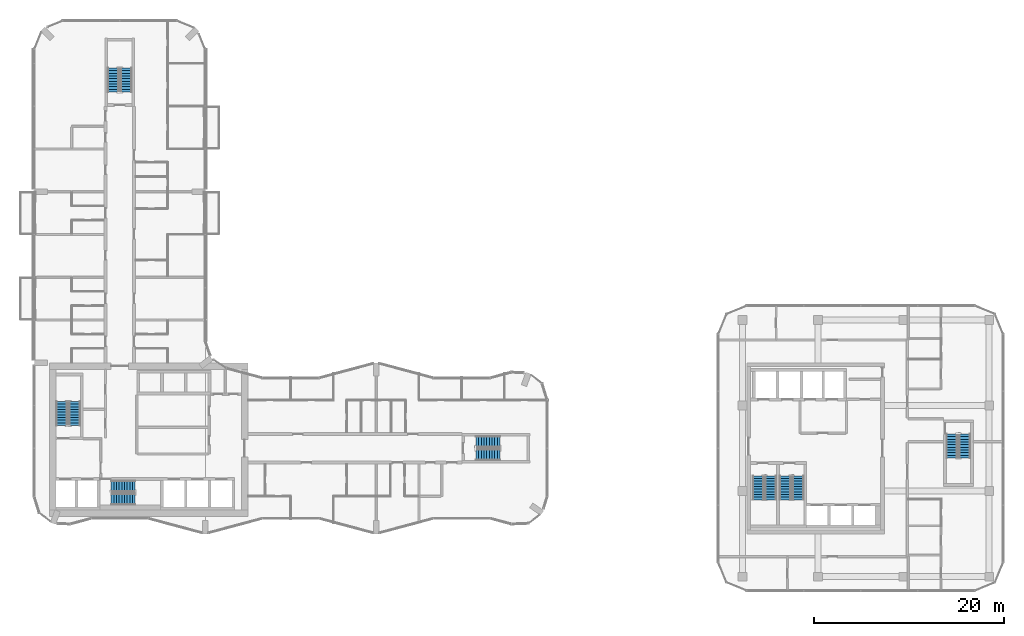
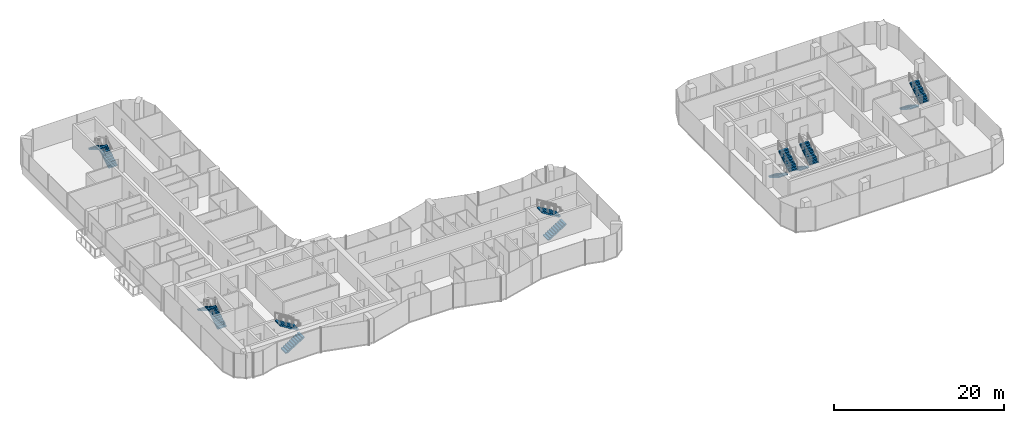
# One storey, part 20 of 23: 14 stair flights, 7 elements without a shape of their own.
"""IFC4 building model written with IfcOpenShell, lengths in metres."""

from ifc_helpers import new_model, si_unit, direction, frame, origin, place, context, subcontext, project, spatial, polyline, outline, extrude, material, type_object, element, aggregate, save


model = new_model("IFC4")

# Units and contexts
model_context = context("Model", 3, precision=1e-05, world=origin(), true_north=direction((0.0, 1.0)))
body_context = subcontext(model_context, "Body", "Model", "MODEL_VIEW")
ifc_project = project(units=[si_unit("LENGTHUNIT", "METRE"), si_unit("AREAUNIT", "SQUARE_METRE"), si_unit("VOLUMEUNIT", "CUBIC_METRE"), si_unit("PLANEANGLEUNIT", "RADIAN"), si_unit("MASSUNIT", "GRAM", prefix="KILO")], contexts=[model_context])

# Site, building, storey
site_placement = place(None, origin())
site = spatial("IfcSite", under=ifc_project, at=site_placement, CompositionType="ELEMENT")
building_placement = place(site_placement, origin())
building = spatial("IfcBuilding", under=site, at=building_placement, Name="Plateau Cross Towers", CompositionType="ELEMENT")
storey_placement = place(building_placement, frame((0.0, 0.0, 95.800048828125)))
storey = spatial("IfcBuildingStorey", under=building, at=storey_placement, Name="L24", CompositionType="ELEMENT", Elevation=95.800048828125)

# Stair, stair flights
ifc_material = material(Name="Concrete C40/50", Category="concrete")
stair_type = type_object("IfcStairType", Name="ST-TWR", PredefinedType="HALF_TURN_STAIR", material=ifc_material)
stair_1_placement = place(storey_placement, origin())
stair_1 = element("IfcStair", 1, at=stair_1_placement, inside=storey, type_object=stair_type, Name="L24 Protected Exit Stair ST-1", PredefinedType="HALF_TURN_STAIR")
stair_flight_type = type_object("IfcStairFlightType", Name="SFL-RC", PredefinedType="STRAIGHT", material=ifc_material)
stair_flight_1_placement = place(storey_placement, frame((4.25, 11.39990234375, 0.0), z_axis=(0.0, 0.0, 1.0), x_axis=(0.0, 1.0, 0.0)))
stair_flight_1 = element("IfcStairFlight", 2, at=stair_flight_1_placement, type_object=stair_flight_type, Name="ST-1 flight 1", NumberOfRisers=10, NumberOfTreads=9, PredefinedType="STRAIGHT", RiserHeight=0.175, TreadLength=0.28, context=body_context, shape_type="SweptSolid", body=[
    extrude(outline(polyline([(-0.0048828125, -0.010009765625), (-0.0048828125, 0.0), (0.0, 0.0), (0.0, 0.175048828125), (0.280029296875, 0.175048828125), (0.280029296875, 0.35009765625), (0.56005859375, 0.35009765625), (0.56005859375, 0.52490234375), (0.840087890625, 0.52490234375), (0.840087890625, 0.699951171875), (1.1201171875, 0.699951171875), (1.1201171875, 0.875), (1.39990234375, 0.875), (1.39990234375, 1.050048828125), (1.679931640625, 1.050048828125), (1.679931640625, 1.22509765625), (1.9599609375, 1.22509765625), (1.9599609375, 1.39990234375), (2.239990234375, 1.39990234375), (2.239990234375, 1.574951171875), (2.52001953125, 1.574951171875), (2.52490234375, 1.56494140625), (2.52490234375, 1.398193359375), (2.52001953125, 1.398193359375), (0.28271484375, 0.0), (0.02001953125, 0.0), (0.02001953125, -0.010009765625), (-0.0048828125, -0.010009765625)])), frame((0.0, 0.60009765625, 0.0), z_axis=(0.0, -1.0, 0.0), x_axis=(1.0, 0.0, 0.0)), (0.0, 0.0, 1.0), 1.199951171875),
])
stair_flight_2_placement = place(storey_placement, frame((2.89990234375, 13.919921875, 1.75), z_axis=(0.0, 0.0, 1.0), x_axis=(0.0, -1.0, 0.0)))
stair_flight_2 = element("IfcStairFlight", 3, at=stair_flight_2_placement, type_object=stair_flight_type, Name="ST-1 flight 2", NumberOfRisers=10, NumberOfTreads=9, PredefinedType="STRAIGHT", RiserHeight=0.175, TreadLength=0.28, context=body_context, shape_type="SweptSolid", body=[
    extrude(outline(polyline([(-0.0048828125, -0.010009765625), (-0.0048828125, 0.0), (0.0, 0.0), (0.0, 0.175048828125), (0.280029296875, 0.175048828125), (0.280029296875, 0.35009765625), (0.56005859375, 0.35009765625), (0.56005859375, 0.52490234375), (0.840087890625, 0.52490234375), (0.840087890625, 0.699951171875), (1.1201171875, 0.699951171875), (1.1201171875, 0.875), (1.39990234375, 0.875), (1.39990234375, 1.050048828125), (1.679931640625, 1.050048828125), (1.679931640625, 1.22509765625), (1.9599609375, 1.22509765625), (1.9599609375, 1.39990234375), (2.239990234375, 1.39990234375), (2.239990234375, 1.574951171875), (2.52001953125, 1.574951171875), (2.52490234375, 1.56494140625), (2.52490234375, 1.398193359375), (2.52001953125, 1.398193359375), (0.28271484375, 0.0), (0.02001953125, 0.0), (0.02001953125, -0.010009765625), (-0.0048828125, -0.010009765625)])), frame((0.0, 0.60009765625, 0.0), z_axis=(0.0, -1.0, 0.0), x_axis=(1.0, 0.0, 0.0)), (0.0, 0.0, 1.0), 1.199951171875),
])
aggregate(stair_1, [stair_flight_1, stair_flight_2])

stair_2_placement = place(storey_placement, origin())
stair_2 = element("IfcStair", 4, at=stair_2_placement, inside=storey, type_object=stair_type, Name="L24 Protected Exit Stair ST-2", PredefinedType="HALF_TURN_STAIR")
stair_flight_3_placement = place(storey_placement, frame((8.10009765625, 3.64990234375, 0.0), z_axis=(0.0, 0.0, 1.0), x_axis=(1.0, 0.0, 0.0)))
stair_flight_3 = element("IfcStairFlight", 5, at=stair_flight_3_placement, type_object=stair_flight_type, Name="ST-2 flight 1", NumberOfRisers=10, NumberOfTreads=9, PredefinedType="STRAIGHT", RiserHeight=0.175, TreadLength=0.28, context=body_context, shape_type="SweptSolid", body=[
    extrude(outline(polyline([(-0.0048828125, -0.010009765625), (-0.0048828125, 0.0), (0.0, 0.0), (0.0, 0.175048828125), (0.280029296875, 0.175048828125), (0.280029296875, 0.35009765625), (0.56005859375, 0.35009765625), (0.56005859375, 0.52490234375), (0.840087890625, 0.52490234375), (0.840087890625, 0.699951171875), (1.1201171875, 0.699951171875), (1.1201171875, 0.875), (1.39990234375, 0.875), (1.39990234375, 1.050048828125), (1.679931640625, 1.050048828125), (1.679931640625, 1.22509765625), (1.9599609375, 1.22509765625), (1.9599609375, 1.39990234375), (2.239990234375, 1.39990234375), (2.239990234375, 1.574951171875), (2.52001953125, 1.574951171875), (2.52490234375, 1.56494140625), (2.52490234375, 1.398193359375), (2.52001953125, 1.398193359375), (0.28271484375, 0.0), (0.02001953125, 0.0), (0.02001953125, -0.010009765625), (-0.0048828125, -0.010009765625)])), frame((0.0, 0.60009765625, 0.0), z_axis=(0.0, -1.0, 0.0), x_axis=(1.0, 0.0, 0.0)), (0.0, 0.0, 1.0), 1.199951171875),
])
stair_flight_4_placement = place(storey_placement, frame((10.6201171875, 5.0, 1.75), z_axis=(0.0, 0.0, 1.0), x_axis=(-1.0, 0.0, 0.0)))
stair_flight_4 = element("IfcStairFlight", 6, at=stair_flight_4_placement, type_object=stair_flight_type, Name="ST-2 flight 2", NumberOfRisers=10, NumberOfTreads=9, PredefinedType="STRAIGHT", RiserHeight=0.175, TreadLength=0.28, context=body_context, shape_type="SweptSolid", body=[
    extrude(outline(polyline([(-0.0048828125, -0.010009765625), (-0.0048828125, 0.0), (0.0, 0.0), (0.0, 0.175048828125), (0.280029296875, 0.175048828125), (0.280029296875, 0.35009765625), (0.56005859375, 0.35009765625), (0.56005859375, 0.52490234375), (0.840087890625, 0.52490234375), (0.840087890625, 0.699951171875), (1.1201171875, 0.699951171875), (1.1201171875, 0.875), (1.39990234375, 0.875), (1.39990234375, 1.050048828125), (1.679931640625, 1.050048828125), (1.679931640625, 1.22509765625), (1.9599609375, 1.22509765625), (1.9599609375, 1.39990234375), (2.239990234375, 1.39990234375), (2.239990234375, 1.574951171875), (2.52001953125, 1.574951171875), (2.52490234375, 1.56494140625), (2.52490234375, 1.398193359375), (2.52001953125, 1.398193359375), (0.28271484375, 0.0), (0.02001953125, 0.0), (0.02001953125, -0.010009765625), (-0.0048828125, -0.010009765625)])), frame((0.0, 0.60009765625, 0.0), z_axis=(0.0, -1.0, 0.0), x_axis=(1.0, 0.0, 0.0)), (0.0, 0.0, 1.0), 1.199951171875),
])
aggregate(stair_2, [stair_flight_3, stair_flight_4])

stair_3_placement = place(storey_placement, origin())
stair_3 = element("IfcStair", 7, at=stair_3_placement, inside=storey, type_object=stair_type, Name="L24 Protected Exit Stair SB-1", PredefinedType="HALF_TURN_STAIR")
stair_flight_5_placement = place(storey_placement, frame((76.199951171875, 6.10009765625, 0.0), z_axis=(0.0, 0.0, 1.0), x_axis=(0.0, -1.0, 0.0)))
stair_flight_5 = element("IfcStairFlight", 8, at=stair_flight_5_placement, type_object=stair_flight_type, Name="SB-1 flight 1", NumberOfRisers=10, NumberOfTreads=9, PredefinedType="STRAIGHT", RiserHeight=0.175, TreadLength=0.28, context=body_context, shape_type="SweptSolid", body=[
    extrude(outline(polyline([(-0.0048828125, -0.010009765625), (-0.0048828125, 0.0), (0.0, 0.0), (0.0, 0.175048828125), (0.280029296875, 0.175048828125), (0.280029296875, 0.35009765625), (0.56005859375, 0.35009765625), (0.56005859375, 0.52490234375), (0.840087890625, 0.52490234375), (0.840087890625, 0.699951171875), (1.1201171875, 0.699951171875), (1.1201171875, 0.875), (1.39990234375, 0.875), (1.39990234375, 1.050048828125), (1.679931640625, 1.050048828125), (1.679931640625, 1.22509765625), (1.9599609375, 1.22509765625), (1.9599609375, 1.39990234375), (2.239990234375, 1.39990234375), (2.239990234375, 1.574951171875), (2.52001953125, 1.574951171875), (2.52490234375, 1.56494140625), (2.52490234375, 1.398193359375), (2.52001953125, 1.398193359375), (0.28271484375, 0.0), (0.02001953125, 0.0), (0.02001953125, -0.010009765625), (-0.0048828125, -0.010009765625)])), frame((0.0, 0.60009765625, 0.0), z_axis=(0.0, -1.0, 0.0), x_axis=(1.0, 0.0, 0.0)), (0.0, 0.0, 1.0), 1.199951171875),
])
stair_flight_6_placement = place(storey_placement, frame((77.550048828125, 3.580078125, 1.75), z_axis=(0.0, 0.0, 1.0), x_axis=(0.0, 1.0, 0.0)))
stair_flight_6 = element("IfcStairFlight", 9, at=stair_flight_6_placement, type_object=stair_flight_type, Name="SB-1 flight 2", NumberOfRisers=10, NumberOfTreads=9, PredefinedType="STRAIGHT", RiserHeight=0.175, TreadLength=0.28, context=body_context, shape_type="SweptSolid", body=[
    extrude(outline(polyline([(-0.0048828125, -0.010009765625), (-0.0048828125, 0.0), (0.0, 0.0), (0.0, 0.175048828125), (0.280029296875, 0.175048828125), (0.280029296875, 0.35009765625), (0.56005859375, 0.35009765625), (0.56005859375, 0.52490234375), (0.840087890625, 0.52490234375), (0.840087890625, 0.699951171875), (1.1201171875, 0.699951171875), (1.1201171875, 0.875), (1.39990234375, 0.875), (1.39990234375, 1.050048828125), (1.679931640625, 1.050048828125), (1.679931640625, 1.22509765625), (1.9599609375, 1.22509765625), (1.9599609375, 1.39990234375), (2.239990234375, 1.39990234375), (2.239990234375, 1.574951171875), (2.52001953125, 1.574951171875), (2.52490234375, 1.56494140625), (2.52490234375, 1.398193359375), (2.52001953125, 1.398193359375), (0.28271484375, 0.0), (0.02001953125, 0.0), (0.02001953125, -0.010009765625), (-0.0048828125, -0.010009765625)])), frame((0.0, 0.60009765625, 0.0), z_axis=(0.0, -1.0, 0.0), x_axis=(1.0, 0.0, 0.0)), (0.0, 0.0, 1.0), 1.199951171875),
])
aggregate(stair_3, [stair_flight_5, stair_flight_6])

stair_4_placement = place(storey_placement, origin())
stair_4 = element("IfcStair", 10, at=stair_4_placement, inside=storey, type_object=stair_type, Name="L24 Protected Exit Stair SB-2", PredefinedType="HALF_TURN_STAIR")
stair_flight_7_placement = place(storey_placement, frame((79.050048828125, 6.10009765625, 0.0), z_axis=(0.0, 0.0, 1.0), x_axis=(0.0, -1.0, 0.0)))
stair_flight_7 = element("IfcStairFlight", 11, at=stair_flight_7_placement, type_object=stair_flight_type, Name="SB-2 flight 1", NumberOfRisers=10, NumberOfTreads=9, PredefinedType="STRAIGHT", RiserHeight=0.175, TreadLength=0.28, context=body_context, shape_type="SweptSolid", body=[
    extrude(outline(polyline([(-0.0048828125, -0.010009765625), (-0.0048828125, 0.0), (0.0, 0.0), (0.0, 0.175048828125), (0.280029296875, 0.175048828125), (0.280029296875, 0.35009765625), (0.56005859375, 0.35009765625), (0.56005859375, 0.52490234375), (0.840087890625, 0.52490234375), (0.840087890625, 0.699951171875), (1.1201171875, 0.699951171875), (1.1201171875, 0.875), (1.39990234375, 0.875), (1.39990234375, 1.050048828125), (1.679931640625, 1.050048828125), (1.679931640625, 1.22509765625), (1.9599609375, 1.22509765625), (1.9599609375, 1.39990234375), (2.239990234375, 1.39990234375), (2.239990234375, 1.574951171875), (2.52001953125, 1.574951171875), (2.52490234375, 1.56494140625), (2.52490234375, 1.398193359375), (2.52001953125, 1.398193359375), (0.28271484375, 0.0), (0.02001953125, 0.0), (0.02001953125, -0.010009765625), (-0.0048828125, -0.010009765625)])), frame((0.0, 0.60009765625, 0.0), z_axis=(0.0, -1.0, 0.0), x_axis=(1.0, 0.0, 0.0)), (0.0, 0.0, 1.0), 1.199951171875),
])
stair_flight_8_placement = place(storey_placement, frame((80.39990234375, 3.580078125, 1.75), z_axis=(0.0, 0.0, 1.0), x_axis=(0.0, 1.0, 0.0)))
stair_flight_8 = element("IfcStairFlight", 12, at=stair_flight_8_placement, type_object=stair_flight_type, Name="SB-2 flight 2", NumberOfRisers=10, NumberOfTreads=9, PredefinedType="STRAIGHT", RiserHeight=0.175, TreadLength=0.28, context=body_context, shape_type="SweptSolid", body=[
    extrude(outline(polyline([(-0.0048828125, -0.010009765625), (-0.0048828125, 0.0), (0.0, 0.0), (0.0, 0.175048828125), (0.280029296875, 0.175048828125), (0.280029296875, 0.35009765625), (0.56005859375, 0.35009765625), (0.56005859375, 0.52490234375), (0.840087890625, 0.52490234375), (0.840087890625, 0.699951171875), (1.1201171875, 0.699951171875), (1.1201171875, 0.875), (1.39990234375, 0.875), (1.39990234375, 1.050048828125), (1.679931640625, 1.050048828125), (1.679931640625, 1.22509765625), (1.9599609375, 1.22509765625), (1.9599609375, 1.39990234375), (2.239990234375, 1.39990234375), (2.239990234375, 1.574951171875), (2.52001953125, 1.574951171875), (2.52490234375, 1.56494140625), (2.52490234375, 1.398193359375), (2.52001953125, 1.398193359375), (0.28271484375, 0.0), (0.02001953125, 0.0), (0.02001953125, -0.010009765625), (-0.0048828125, -0.010009765625)])), frame((0.0, 0.60009765625, 0.0), z_axis=(0.0, -1.0, 0.0), x_axis=(1.0, 0.0, 0.0)), (0.0, 0.0, 1.0), 1.199951171875),
])
aggregate(stair_4, [stair_flight_7, stair_flight_8])

stair_5_placement = place(storey_placement, origin())
stair_5 = element("IfcStair", 13, at=stair_5_placement, inside=storey, type_object=stair_type, Name="L24 Protected Exit Stair SB-3", PredefinedType="HALF_TURN_STAIR")
stair_flight_9_placement = place(storey_placement, frame((96.60009765625, 10.5, 0.0), z_axis=(0.0, 0.0, 1.0), x_axis=(0.0, -1.0, 0.0)))
stair_flight_9 = element("IfcStairFlight", 14, at=stair_flight_9_placement, type_object=stair_flight_type, Name="SB-3 flight 1", NumberOfRisers=10, NumberOfTreads=9, PredefinedType="STRAIGHT", RiserHeight=0.175, TreadLength=0.28, context=body_context, shape_type="SweptSolid", body=[
    extrude(outline(polyline([(-0.0048828125, -0.010009765625), (-0.0048828125, 0.0), (0.0, 0.0), (0.0, 0.175048828125), (0.280029296875, 0.175048828125), (0.280029296875, 0.35009765625), (0.56005859375, 0.35009765625), (0.56005859375, 0.52490234375), (0.840087890625, 0.52490234375), (0.840087890625, 0.699951171875), (1.1201171875, 0.699951171875), (1.1201171875, 0.875), (1.39990234375, 0.875), (1.39990234375, 1.050048828125), (1.679931640625, 1.050048828125), (1.679931640625, 1.22509765625), (1.9599609375, 1.22509765625), (1.9599609375, 1.39990234375), (2.239990234375, 1.39990234375), (2.239990234375, 1.574951171875), (2.52001953125, 1.574951171875), (2.52490234375, 1.56494140625), (2.52490234375, 1.398193359375), (2.52001953125, 1.398193359375), (0.28271484375, 0.0), (0.02001953125, 0.0), (0.02001953125, -0.010009765625), (-0.0048828125, -0.010009765625)])), frame((0.0, 0.60009765625, 0.0), z_axis=(0.0, -1.0, 0.0), x_axis=(1.0, 0.0, 0.0)), (0.0, 0.0, 1.0), 1.199951171875),
])
stair_flight_10_placement = place(storey_placement, frame((97.949951171875, 7.97998046875, 1.75), z_axis=(0.0, 0.0, 1.0), x_axis=(0.0, 1.0, 0.0)))
stair_flight_10 = element("IfcStairFlight", 15, at=stair_flight_10_placement, type_object=stair_flight_type, Name="SB-3 flight 2", NumberOfRisers=10, NumberOfTreads=9, PredefinedType="STRAIGHT", RiserHeight=0.175, TreadLength=0.28, context=body_context, shape_type="SweptSolid", body=[
    extrude(outline(polyline([(-0.0048828125, -0.010009765625), (-0.0048828125, 0.0), (0.0, 0.0), (0.0, 0.175048828125), (0.280029296875, 0.175048828125), (0.280029296875, 0.35009765625), (0.56005859375, 0.35009765625), (0.56005859375, 0.52490234375), (0.840087890625, 0.52490234375), (0.840087890625, 0.699951171875), (1.1201171875, 0.699951171875), (1.1201171875, 0.875), (1.39990234375, 0.875), (1.39990234375, 1.050048828125), (1.679931640625, 1.050048828125), (1.679931640625, 1.22509765625), (1.9599609375, 1.22509765625), (1.9599609375, 1.39990234375), (2.239990234375, 1.39990234375), (2.239990234375, 1.574951171875), (2.52001953125, 1.574951171875), (2.52490234375, 1.56494140625), (2.52490234375, 1.398193359375), (2.52001953125, 1.398193359375), (0.28271484375, 0.0), (0.02001953125, 0.0), (0.02001953125, -0.010009765625), (-0.0048828125, -0.010009765625)])), frame((0.0, 0.60009765625, 0.0), z_axis=(0.0, -1.0, 0.0), x_axis=(1.0, 0.0, 0.0)), (0.0, 0.0, 1.0), 1.199951171875),
])
aggregate(stair_5, [stair_flight_9, stair_flight_10])

stair_6_placement = place(storey_placement, origin())
stair_6 = element("IfcStair", 16, at=stair_6_placement, inside=storey, type_object=stair_type, Name="L24 Protected Exit Stair E", PredefinedType="HALF_TURN_STAIR")
stair_flight_11_placement = place(storey_placement, frame((46.5, 8.324951171875, 0.0), z_axis=(0.0, 0.0, 1.0), x_axis=(1.0, 0.0, 0.0)))
stair_flight_11 = element("IfcStairFlight", 17, at=stair_flight_11_placement, type_object=stair_flight_type, Name="ES-E flight 1", NumberOfRisers=10, NumberOfTreads=9, PredefinedType="STRAIGHT", RiserHeight=0.175, TreadLength=0.28, context=body_context, shape_type="SweptSolid", body=[
    extrude(outline(polyline([(-0.0048828125, -0.010009765625), (-0.0048828125, 0.0), (0.0, 0.0), (0.0, 0.175048828125), (0.280029296875, 0.175048828125), (0.280029296875, 0.35009765625), (0.56005859375, 0.35009765625), (0.56005859375, 0.52490234375), (0.840087890625, 0.52490234375), (0.840087890625, 0.699951171875), (1.1201171875, 0.699951171875), (1.1201171875, 0.875), (1.39990234375, 0.875), (1.39990234375, 1.050048828125), (1.679931640625, 1.050048828125), (1.679931640625, 1.22509765625), (1.9599609375, 1.22509765625), (1.9599609375, 1.39990234375), (2.239990234375, 1.39990234375), (2.239990234375, 1.574951171875), (2.52001953125, 1.574951171875), (2.52490234375, 1.56494140625), (2.52490234375, 1.398193359375), (2.52001953125, 1.398193359375), (0.28271484375, 0.0), (0.02001953125, 0.0), (0.02001953125, -0.010009765625), (-0.0048828125, -0.010009765625)])), frame((0.0, 0.60009765625, 0.0), z_axis=(0.0, -1.0, 0.0), x_axis=(1.0, 0.0, 0.0)), (0.0, 0.0, 1.0), 1.199951171875),
])
stair_flight_12_placement = place(storey_placement, frame((49.02001953125, 9.675048828125, 1.75), z_axis=(0.0, 0.0, 1.0), x_axis=(-1.0, 0.0, 0.0)))
stair_flight_12 = element("IfcStairFlight", 18, at=stair_flight_12_placement, type_object=stair_flight_type, Name="ES-E flight 2", NumberOfRisers=10, NumberOfTreads=9, PredefinedType="STRAIGHT", RiserHeight=0.175, TreadLength=0.28, context=body_context, shape_type="SweptSolid", body=[
    extrude(outline(polyline([(-0.0048828125, -0.010009765625), (-0.0048828125, 0.0), (0.0, 0.0), (0.0, 0.175048828125), (0.280029296875, 0.175048828125), (0.280029296875, 0.35009765625), (0.56005859375, 0.35009765625), (0.56005859375, 0.52490234375), (0.840087890625, 0.52490234375), (0.840087890625, 0.699951171875), (1.1201171875, 0.699951171875), (1.1201171875, 0.875), (1.39990234375, 0.875), (1.39990234375, 1.050048828125), (1.679931640625, 1.050048828125), (1.679931640625, 1.22509765625), (1.9599609375, 1.22509765625), (1.9599609375, 1.39990234375), (2.239990234375, 1.39990234375), (2.239990234375, 1.574951171875), (2.52001953125, 1.574951171875), (2.52490234375, 1.56494140625), (2.52490234375, 1.398193359375), (2.52001953125, 1.398193359375), (0.28271484375, 0.0), (0.02001953125, 0.0), (0.02001953125, -0.010009765625), (-0.0048828125, -0.010009765625)])), frame((0.0, 0.60009765625, 0.0), z_axis=(0.0, -1.0, 0.0), x_axis=(1.0, 0.0, 0.0)), (0.0, 0.0, 1.0), 1.199951171875),
])
aggregate(stair_6, [stair_flight_11, stair_flight_12])

stair_7_placement = place(storey_placement, origin())
stair_7 = element("IfcStair", 19, at=stair_7_placement, inside=storey, type_object=stair_type, Name="L24 Protected Exit Stair N", PredefinedType="HALF_TURN_STAIR")
stair_flight_13_placement = place(storey_placement, frame((9.675048828125, 46.5, 0.0), z_axis=(0.0, 0.0, 1.0), x_axis=(0.0, 1.0, 0.0)))
stair_flight_13 = element("IfcStairFlight", 20, at=stair_flight_13_placement, type_object=stair_flight_type, Name="ES-N flight 1", NumberOfRisers=10, NumberOfTreads=9, PredefinedType="STRAIGHT", RiserHeight=0.175, TreadLength=0.28, context=body_context, shape_type="SweptSolid", body=[
    extrude(outline(polyline([(-0.0048828125, -0.010009765625), (-0.0048828125, 0.0), (0.0, 0.0), (0.0, 0.175048828125), (0.280029296875, 0.175048828125), (0.280029296875, 0.35009765625), (0.56005859375, 0.35009765625), (0.56005859375, 0.52490234375), (0.840087890625, 0.52490234375), (0.840087890625, 0.699951171875), (1.1201171875, 0.699951171875), (1.1201171875, 0.875), (1.39990234375, 0.875), (1.39990234375, 1.050048828125), (1.679931640625, 1.050048828125), (1.679931640625, 1.22509765625), (1.9599609375, 1.22509765625), (1.9599609375, 1.39990234375), (2.239990234375, 1.39990234375), (2.239990234375, 1.574951171875), (2.52001953125, 1.574951171875), (2.52490234375, 1.56494140625), (2.52490234375, 1.398193359375), (2.52001953125, 1.398193359375), (0.28271484375, 0.0), (0.02001953125, 0.0), (0.02001953125, -0.010009765625), (-0.0048828125, -0.010009765625)])), frame((0.0, 0.60009765625, 0.0), z_axis=(0.0, -1.0, 0.0), x_axis=(1.0, 0.0, 0.0)), (0.0, 0.0, 1.0), 1.199951171875),
])
stair_flight_14_placement = place(storey_placement, frame((8.324951171875, 49.02001953125, 1.75), z_axis=(0.0, 0.0, 1.0), x_axis=(0.0, -1.0, 0.0)))
stair_flight_14 = element("IfcStairFlight", 21, at=stair_flight_14_placement, type_object=stair_flight_type, Name="ES-N flight 2", NumberOfRisers=10, NumberOfTreads=9, PredefinedType="STRAIGHT", RiserHeight=0.175, TreadLength=0.28, context=body_context, shape_type="SweptSolid", body=[
    extrude(outline(polyline([(-0.0048828125, -0.010009765625), (-0.0048828125, 0.0), (0.0, 0.0), (0.0, 0.175048828125), (0.280029296875, 0.175048828125), (0.280029296875, 0.35009765625), (0.56005859375, 0.35009765625), (0.56005859375, 0.52490234375), (0.840087890625, 0.52490234375), (0.840087890625, 0.699951171875), (1.1201171875, 0.699951171875), (1.1201171875, 0.875), (1.39990234375, 0.875), (1.39990234375, 1.050048828125), (1.679931640625, 1.050048828125), (1.679931640625, 1.22509765625), (1.9599609375, 1.22509765625), (1.9599609375, 1.39990234375), (2.239990234375, 1.39990234375), (2.239990234375, 1.574951171875), (2.52001953125, 1.574951171875), (2.52490234375, 1.56494140625), (2.52490234375, 1.398193359375), (2.52001953125, 1.398193359375), (0.28271484375, 0.0), (0.02001953125, 0.0), (0.02001953125, -0.010009765625), (-0.0048828125, -0.010009765625)])), frame((0.0, 0.60009765625, 0.0), z_axis=(0.0, -1.0, 0.0), x_axis=(1.0, 0.0, 0.0)), (0.0, 0.0, 1.0), 1.199951171875),
])
aggregate(stair_7, [stair_flight_13, stair_flight_14])

save(model, "model.ifc")
